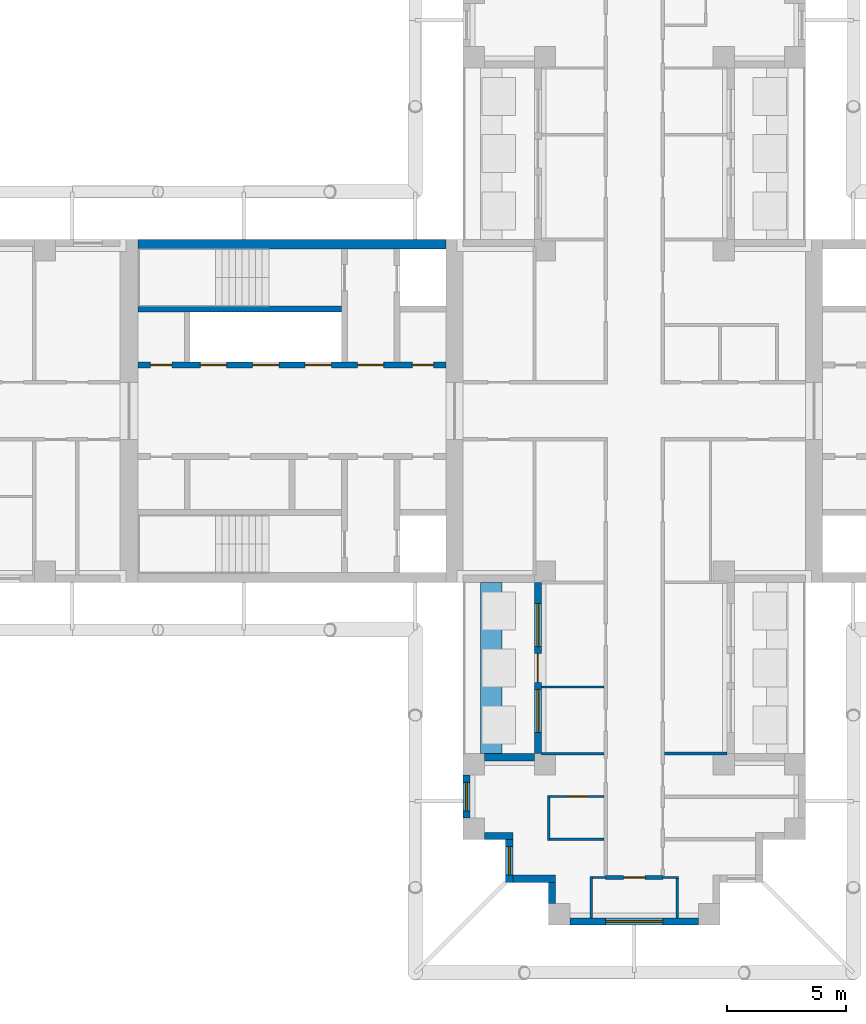
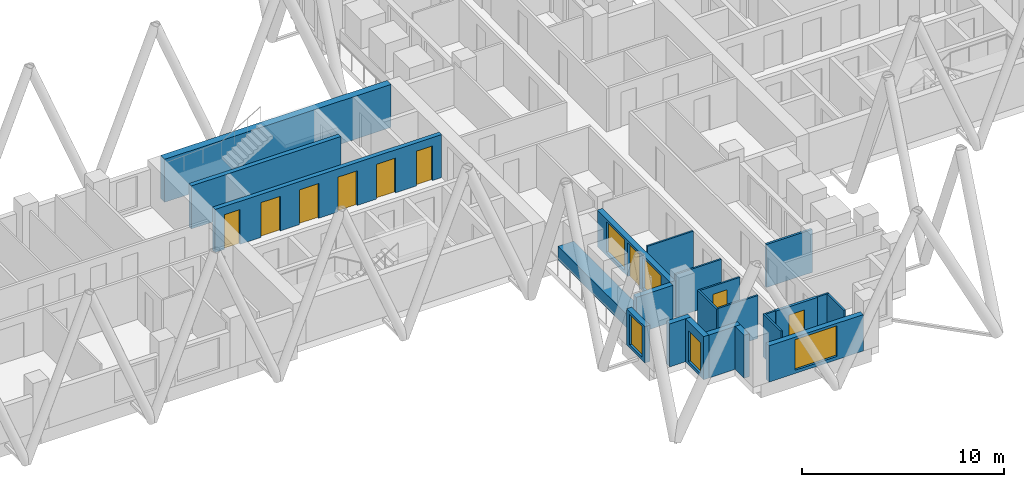
# One storey, part 4 of 12: 23 walls, 9 doors, 5 windows, 14 openings.
"""IFC4 building model written with IfcOpenShell, lengths in metres."""

import ifcopenshell
import ifcopenshell.guid

model = None  # the IFC model being written
_history = None  # IfcOwnerHistory: only IFC2X3 demands one
_inside = {}  # id of a spatial element -> (the spatial element, [elements in it])
_under = {}  # id of a project, library or spatial element -> (it, [spatial elements below it])
_declared = {}  # id of a project -> (the project, [libraries it declares])
_typed = {}  # id of a type object -> (the type object, [elements of that type])
_made_of = {}  # id of a material, layer set ... -> (it, [elements and type objects made of it])


def new_model(schema):
    """Start an empty IFC model of exactly this schema.

    Asked for "IFC4X3", IfcOpenShell would pick the latest addendum, in which some entities
    have other attributes; the version numbers below select the first issue.
    IFC2X3 requires an IfcOwnerHistory on every rooted entity: one is made here for all.
    """
    global model, _history
    if schema == "IFC4X3":
        model = ifcopenshell.file(schema_version=(4, 3, 0, 0))
    else:
        model = ifcopenshell.file(schema=schema)
    _inside.clear()
    _under.clear()
    _declared.clear()
    _typed.clear()
    _made_of.clear()
    _history = None
    if model.schema == "IFC2X3":
        org = make("IfcOrganization", Name="unknown")
        user = make(
            "IfcPersonAndOrganization",
            ThePerson=make("IfcPerson", FamilyName="unknown"),
            TheOrganization=org,
        )
        app = make(
            "IfcApplication",
            ApplicationDeveloper=org,
            Version="unknown",
            ApplicationFullName="unknown",
            ApplicationIdentifier="unknown",
        )
        _history = make(
            "IfcOwnerHistory",
            OwningUser=user,
            OwningApplication=app,
            ChangeAction="ADDED",
            CreationDate=0,
        )
    return model


def make(cls, **values):
    """One entity of the class cls with the attributes given. An attribute that is None is left unset."""
    return model.create_entity(
        cls, **{name: value for name, value in values.items() if value is not None}
    )


def rooted(cls, **values):
    """An entity with a GlobalId (a new one), such as an element, a storey or a relation."""
    return make(cls, GlobalId=ifcopenshell.guid.new(), OwnerHistory=_history, **values)


def si_unit(unit_type, name, prefix=None):
    """IfcSIUnit, for example si_unit("LENGTHUNIT", "METRE", prefix="MILLI")."""
    return make("IfcSIUnit", UnitType=unit_type, Prefix=prefix, Name=name)


def assignment(units):
    """IfcUnitAssignment: the units of a project."""
    return None if units is None else make("IfcUnitAssignment", Units=units)


def point(xyz):
    """IfcCartesianPoint."""
    return None if xyz is None else make("IfcCartesianPoint", Coordinates=xyz)


def direction(xyz):
    """IfcDirection."""
    return None if xyz is None else make("IfcDirection", DirectionRatios=xyz)


def frame(location, z_axis=None, x_axis=None):
    """IfcAxis2Placement3D, a coordinate frame: its origin and axes. An axis left out is left unset."""
    return make(
        "IfcAxis2Placement3D",
        Location=point(location),
        Axis=direction(z_axis),
        RefDirection=direction(x_axis),
    )


def frame_2d(location, x_axis=None):
    """IfcAxis2Placement2D, a coordinate frame in the plane: its origin and x axis."""
    return make(
        "IfcAxis2Placement2D", Location=point(location), RefDirection=direction(x_axis)
    )


def origin():
    """The frame at (0, 0, 0) with its axes left unset."""
    return frame((0.0, 0.0, 0.0))


def place(relative_to, where):
    """IfcLocalPlacement: puts the frame where relative to a parent placement (None: the world)."""
    return make(
        "IfcLocalPlacement", PlacementRelTo=relative_to, RelativePlacement=where
    )


def context(
    kind, dimensions, precision=None, world=None, true_north=None, identifier=None
):
    """IfcGeometricRepresentationContext, for example the 3D "Model" context."""
    return make(
        "IfcGeometricRepresentationContext",
        ContextIdentifier=identifier,
        ContextType=kind,
        CoordinateSpaceDimension=dimensions,
        Precision=precision,
        WorldCoordinateSystem=world,
        TrueNorth=true_north,
    )


def subcontext(parent, identifier, kind, view, scale=None):
    """IfcGeometricRepresentationSubContext, for example "Body" below "Model"."""
    return make(
        "IfcGeometricRepresentationSubContext",
        ContextIdentifier=identifier,
        ContextType=kind,
        ParentContext=parent,
        TargetScale=scale,
        TargetView=view,
    )


def project(units=None, contexts=None):
    """IfcProject with its units and contexts."""
    return rooted(
        "IfcProject",
        Name="project",
        RepresentationContexts=contexts,
        UnitsInContext=assignment(units),
    )


def spatial(cls, under=None, at=None, **own):
    """A site, building, storey or space (cls), placed at a placement, below another one or the project."""
    s = rooted(cls, ObjectPlacement=at, **own)
    if under is not None:
        _under.setdefault(under.id(), (under, []))[1].append(s)
    return s


def profile(cls, at=None, kind="AREA", **sizes):
    """A parametric profile (cls). Its sizes go by their IFC names, for example OverallWidth=200.0."""
    return make(cls, ProfileType=kind, Position=at, **sizes)


def rectangle(**sizes):
    """IfcRectangleProfileDef."""
    return profile("IfcRectangleProfileDef", **sizes)


def extrude(swept, where, along, depth):
    """IfcExtrudedAreaSolid: the profile swept, set in the frame where, extruded along a direction by depth."""
    return make(
        "IfcExtrudedAreaSolid",
        SweptArea=swept,
        Position=where,
        ExtrudedDirection=direction(along),
        Depth=depth,
    )


def shape(context_of_items, identifier, shape_type, items):
    """IfcShapeRepresentation: the items that make up one representation, for example the "Body"."""
    return make(
        "IfcShapeRepresentation",
        ContextOfItems=context_of_items,
        RepresentationIdentifier=identifier,
        RepresentationType=shape_type,
        Items=items,
    )


def material(Name=None, Category=None):
    """IfcMaterial."""
    return make("IfcMaterial", Name=Name, Category=Category)


def layer(
    of_material, thickness, ventilated=None, Name=None, Category=None, Priority=None
):
    """IfcMaterialLayer: one layer of a wall or slab, of a material (None: an air gap)."""
    return make(
        "IfcMaterialLayer",
        Material=of_material,
        LayerThickness=thickness,
        IsVentilated=ventilated,
        Name=Name,
        Category=Category,
        Priority=Priority,
    )


def layer_set(layers, Name=None):
    """IfcMaterialLayerSet."""
    return make("IfcMaterialLayerSet", MaterialLayers=layers, LayerSetName=Name)


def made_of(thing, what):
    """Note that an element or type object is made of a material, layer set ...; save() writes the relation."""
    if what is not None:
        _made_of.setdefault(what.id(), (what, []))[1].append(thing)
    return thing


def type_object(cls, material=None, **own):
    """A type object (cls), such as IfcWallType, which elements share."""
    return made_of(rooted(cls, **own), material)


def element(
    cls,
    number,
    at=None,
    inside=None,
    cuts=None,
    type_object=None,
    material=None,
    context=None,
    identifier="Body",
    shape_type=None,
    held_by="IfcProductDefinitionShape",
    body=None,
    shapes=None,
    **own,
):
    """One element of the class cls, such as IfcWall. Its Tag is "e" and its number.

    at: its placement. inside: the storey or other place that contains it. cuts: it is an
    opening in that element (IfcRelVoidsElement). A single representation is given by context,
    identifier, shape_type and body (its items); several are given by shapes. held_by: the class
    of the entity that holds the representations. save() writes the other relations.
    """
    e = rooted(cls, Tag="e%d" % number, ObjectPlacement=at, **own)
    if body is not None:
        shapes = [shape(context, identifier, shape_type, body)]
    if shapes is not None:
        e.Representation = make(held_by, Representations=shapes)
    if inside is not None:
        _inside.setdefault(inside.id(), (inside, []))[1].append(e)
    if cuts is not None:
        rooted(
            "IfcRelVoidsElement", RelatingBuildingElement=cuts, RelatedOpeningElement=e
        )
    if type_object is not None:
        _typed.setdefault(type_object.id(), (type_object, []))[1].append(e)
    return made_of(e, material)


def fill(opening, filler):
    """IfcRelFillsElement: the door or window that sits in an opening."""
    return rooted(
        "IfcRelFillsElement",
        RelatingOpeningElement=opening,
        RelatedBuildingElement=filler,
    )


def aggregate(whole, parts):
    """IfcRelAggregates: a whole, such as a stair, and the parts it consists of."""
    return rooted("IfcRelAggregates", RelatingObject=whole, RelatedObjects=parts)


def save(model, path):
    """Write the relations noted so far, then the file.

    IfcRelAggregates (storeys below a building ...), IfcRelContainedInSpatialStructure (elements
    in a storey), IfcRelDefinesByType, IfcRelAssociatesMaterial and IfcRelDeclares: one each for
    every whole, place, type object, material and project.
    """
    for whole, parts in _under.values():
        aggregate(whole, parts)
    for where, things in _inside.values():
        rooted(
            "IfcRelContainedInSpatialStructure",
            RelatedElements=things,
            RelatingStructure=where,
        )
    for kind, things in _typed.values():
        rooted("IfcRelDefinesByType", RelatedObjects=things, RelatingType=kind)
    for what, things in _made_of.values():
        rooted("IfcRelAssociatesMaterial", RelatedObjects=things, RelatingMaterial=what)
    for by, libraries in _declared.values():
        rooted("IfcRelDeclares", RelatingContext=by, RelatedDefinitions=libraries)
    model.write(path)


model = new_model("IFC4")

# Units and contexts
model_context = context("Model", 3, precision=1e-05, world=origin(), true_north=direction((0.0, 1.0)))
body_context = subcontext(model_context, "Body", "Model", "MODEL_VIEW")
ifc_project = project(units=[si_unit("LENGTHUNIT", "METRE"), si_unit("AREAUNIT", "SQUARE_METRE"), si_unit("VOLUMEUNIT", "CUBIC_METRE"), si_unit("PLANEANGLEUNIT", "RADIAN"), si_unit("MASSUNIT", "GRAM", prefix="KILO")], contexts=[model_context])

# Site, building, storey
site_placement = place(None, origin())
site = spatial("IfcSite", under=ifc_project, at=site_placement, CompositionType="ELEMENT")
building_placement = place(site_placement, origin())
building = spatial("IfcBuilding", under=site, at=building_placement, Name="Fustian Cross Tower", CompositionType="ELEMENT")
storey_placement = place(building_placement, frame((0.0, 0.0, 179.699951171875)))
storey = spatial("IfcBuildingStorey", under=building, at=storey_placement, Name="L56", CompositionType="ELEMENT", Elevation=179.699951171875)

# Wall, opening, door
ifc_material_1 = material(Name="Plasterboard on steel stud", Category="steel")
ifc_layer_1 = layer(ifc_material_1, 0.14990234375)
ifc_layer_set_1 = layer_set([ifc_layer_1], Name="Plasterboard on steel stud")
wall_type_1 = type_object("IfcWallType", Name="COMPARTMENT WALL 150 EI 60", PredefinedType="PARTITIONING", material=ifc_layer_set_1)
wall_1_placement = place(storey_placement, frame((-1.199951171875, -19.60009765625, 0.0), z_axis=(0.0, 0.0, 1.0), x_axis=(1.0, 0.0, 0.0)))
wall_1 = element("IfcWall", 1, at=wall_1_placement, inside=storey, type_object=wall_type_1, Name="Partition 32", PredefinedType="PARTITIONING", context=body_context, shape_type="SweptSolid", body=[
    extrude(rectangle(XDim=2.39990234375, YDim=0.14990234375, at=frame_2d((1.199951171875, 0.0))), origin(), (0.0, 0.0, 1.0), 2.60009765625),
])
opening_1_placement = place(wall_1_placement, frame((0.75, 0.0, 0.0)))
opening_1 = element("IfcOpeningElement", 2, at=opening_1_placement, cuts=wall_1, Name="Opening D26038", PredefinedType="OPENING", context=body_context, shape_type="SweptSolid", body=[
    extrude(rectangle(XDim=0.89990234375, YDim=2.10009765625, at=frame_2d((0.449951171875, 1.050048828125))), frame((0.0, 0.0849609375, 0.0), z_axis=(0.0, -1.0, 0.0), x_axis=(1.0, 0.0, 0.0)), (0.0, 0.0, 1.0), 0.169921875),
])
ifc_material_2 = material(Name="Timber fire door set", Category="wood")
door_type_1 = type_object("IfcDoorType", Name="FIRE SWING DOOR 900 FD30S", OperationType="SINGLE_SWING_LEFT", PredefinedType="DOOR", material=ifc_material_2)
door_1_placement = place(opening_1_placement, frame((0.89990234375, 0.0, 0.0), z_axis=(0.0, 0.0, 1.0), x_axis=(-1.0, 0.0, 0.0)))
door_1 = element("IfcDoor", 3, at=door_1_placement, inside=storey, type_object=door_type_1, Name="Door D26038", OperationType="SINGLE_SWING_RIGHT", OverallHeight=2.10009765625, OverallWidth=0.89990234375, PredefinedType="DOOR", context=body_context, shape_type="SweptSolid", body=[
    extrude(rectangle(XDim=0.89990234375, YDim=2.10009765625, at=frame_2d((0.449951171875, 1.050048828125))), frame((0.0, 0.02490234375, 0.0), z_axis=(0.0, -1.0, 0.0), x_axis=(1.0, 0.0, 0.0)), (0.0, 0.0, 1.0), 0.050048828125),
])
fill(opening_1, door_1)

# Wall
ifc_material_3 = material(Name="Concrete C50/60", Category="concrete")
ifc_layer_2 = layer(ifc_material_3, 0.39990234375)
ifc_layer_set_2 = layer_set([ifc_layer_2], Name="Concrete C50/60")
wall_type_2 = type_object("IfcWallType", Name="CORE FACADE WALL 400 C50/60", PredefinedType="SHEAR", material=ifc_layer_set_2)
wall_2_placement = place(storey_placement, frame((-7.89990234375, 7.0, 0.0), z_axis=(0.0, 0.0, 1.0), x_axis=(-1.0, 0.0, 0.0)))
element("IfcWall", 4, at=wall_2_placement, inside=storey, type_object=wall_type_2, Name="Core facade wall", PredefinedType="SHEAR", context=body_context, shape_type="SweptSolid", body=[
    extrude(rectangle(XDim=12.9501953125, YDim=0.39990234375, at=frame_2d((6.47509765625, 0.0))), origin(), (0.0, 0.0, 1.0), 2.60009765625),
])

# Wall, openings, doors
ifc_material_4 = material(Name="Concrete C50/60", Category="concrete")
ifc_layer_3 = layer(ifc_material_4, 0.25)
ifc_layer_set_3 = layer_set([ifc_layer_3], Name="Concrete C50/60")
wall_type_3 = type_object("IfcWallType", Name="CORE LOBBY WALL 250 C50/60", PredefinedType="SHEAR", material=ifc_layer_set_3)
wall_3_placement = place(storey_placement, frame((-7.89990234375, 1.925048828125, 0.0), z_axis=(0.0, 0.0, 1.0), x_axis=(-1.0, 0.0, 0.0)))
wall_3 = element("IfcWall", 5, at=wall_3_placement, inside=storey, type_object=wall_type_3, Name="Core lobby wall", PredefinedType="SHEAR", context=body_context, shape_type="SweptSolid", body=[
    extrude(rectangle(XDim=12.9501953125, YDim=0.25, at=frame_2d((6.47509765625, 0.0))), origin(), (0.0, 0.0, 1.0), 2.60009765625),
])
opening_2_placement = place(wall_3_placement, frame((4.824951171875, 0.0, 0.0)))
opening_2 = element("IfcOpeningElement", 6, at=opening_2_placement, cuts=wall_3, Name="Opening LD", PredefinedType="OPENING", context=body_context, shape_type="SweptSolid", body=[
    extrude(rectangle(XDim=1.10009765625, YDim=2.10009765625, at=frame_2d((0.550048828125, 1.050048828125))), frame((0.0, 0.135009765625, 0.0), z_axis=(0.0, -1.0, 0.0), x_axis=(1.0, 0.0, 0.0)), (0.0, 0.0, 1.0), 0.27001953125),
])
opening_3_placement = place(wall_3_placement, frame((7.02490234375, 0.0, 0.0)))
opening_3 = element("IfcOpeningElement", 7, at=opening_3_placement, cuts=wall_3, Name="Opening LD", PredefinedType="OPENING", context=body_context, shape_type="SweptSolid", body=[
    extrude(rectangle(XDim=1.10009765625, YDim=2.10009765625, at=frame_2d((0.550048828125, 1.050048828125))), frame((0.0, 0.135009765625, 0.0), z_axis=(0.0, -1.0, 0.0), x_axis=(1.0, 0.0, 0.0)), (0.0, 0.0, 1.0), 0.27001953125),
])
opening_4_placement = place(wall_3_placement, frame((9.22509765625, 0.0, 0.0)))
opening_4 = element("IfcOpeningElement", 8, at=opening_4_placement, cuts=wall_3, Name="Opening LD", PredefinedType="OPENING", context=body_context, shape_type="SweptSolid", body=[
    extrude(rectangle(XDim=1.10009765625, YDim=2.10009765625, at=frame_2d((0.550048828125, 1.050048828125))), frame((0.0, 0.135009765625, 0.0), z_axis=(0.0, -1.0, 0.0), x_axis=(1.0, 0.0, 0.0)), (0.0, 0.0, 1.0), 0.27001953125),
])
opening_5_placement = place(wall_3_placement, frame((0.52490234375, 0.0, 0.0)))
opening_5 = element("IfcOpeningElement", 9, at=opening_5_placement, cuts=wall_3, Name="Opening CD-23-25", PredefinedType="OPENING", context=body_context, shape_type="SweptSolid", body=[
    extrude(rectangle(XDim=0.89990234375, YDim=2.10009765625, at=frame_2d((0.449951171875, 1.050048828125))), frame((0.0, 0.135009765625, 0.0), z_axis=(0.0, -1.0, 0.0), x_axis=(1.0, 0.0, 0.0)), (0.0, 0.0, 1.0), 0.27001953125),
])
opening_6_placement = place(wall_3_placement, frame((2.625, 0.0, 0.0)))
opening_6 = element("IfcOpeningElement", 10, at=opening_6_placement, cuts=wall_3, Name="Opening CD-23-27", PredefinedType="OPENING", context=body_context, shape_type="SweptSolid", body=[
    extrude(rectangle(XDim=1.10009765625, YDim=2.10009765625, at=frame_2d((0.550048828125, 1.050048828125))), frame((0.0, 0.135009765625, 0.0), z_axis=(0.0, -1.0, 0.0), x_axis=(1.0, 0.0, 0.0)), (0.0, 0.0, 1.0), 0.27001953125),
])
opening_7_placement = place(wall_3_placement, frame((11.52490234375, 0.0, 0.0)))
opening_7 = element("IfcOpeningElement", 11, at=opening_7_placement, cuts=wall_3, Name="Opening CD-23-31", PredefinedType="OPENING", context=body_context, shape_type="SweptSolid", body=[
    extrude(rectangle(XDim=0.89990234375, YDim=2.10009765625, at=frame_2d((0.449951171875, 1.050048828125))), frame((0.0, 0.135009765625, 0.0), z_axis=(0.0, -1.0, 0.0), x_axis=(1.0, 0.0, 0.0)), (0.0, 0.0, 1.0), 0.27001953125),
])
ifc_material_5 = material(Name="Steel", Category="steel")
door_type_2 = type_object("IfcDoorType", Name="FIRE DOOR FD30S 900X2100", OperationType="SINGLE_SWING_LEFT", PredefinedType="DOOR", material=ifc_material_5)
door_2_placement = place(opening_7_placement, frame((0.89990234375, 0.0, 0.0), z_axis=(0.0, 0.0, 1.0), x_axis=(-1.0, 0.0, 0.0)))
door_2 = element("IfcDoor", 12, at=door_2_placement, inside=storey, type_object=door_type_2, Name="Core door CD-23-31", OperationType="SINGLE_SWING_RIGHT", OverallHeight=2.10009765625, OverallWidth=0.89990234375, PredefinedType="DOOR", context=body_context, shape_type="SweptSolid", body=[
    extrude(rectangle(XDim=0.89990234375, YDim=2.10009765625, at=frame_2d((0.449951171875, 1.050048828125))), frame((0.0, 0.02490234375, 0.0), z_axis=(0.0, -1.0, 0.0), x_axis=(1.0, 0.0, 0.0)), (0.0, 0.0, 1.0), 0.050048828125),
])
fill(opening_7, door_2)
ifc_material_6 = material(Name="Steel", Category="steel")
door_type_3 = type_object("IfcDoorType", Name="FIRE DOOR FD60S 1100X2100", OperationType="SINGLE_SWING_LEFT", PredefinedType="DOOR", material=ifc_material_6)
door_3_placement = place(opening_6_placement, frame((1.10009765625, 0.0, 0.0), z_axis=(0.0, 0.0, 1.0), x_axis=(-1.0, 0.0, 0.0)))
door_3 = element("IfcDoor", 13, at=door_3_placement, inside=storey, type_object=door_type_3, Name="Core door CD-23-27", OperationType="SINGLE_SWING_RIGHT", OverallHeight=2.10009765625, OverallWidth=1.10009765625, PredefinedType="DOOR", context=body_context, shape_type="SweptSolid", body=[
    extrude(rectangle(XDim=1.10009765625, YDim=2.10009765625, at=frame_2d((0.550048828125, 1.050048828125))), frame((0.0, 0.02490234375, 0.0), z_axis=(0.0, -1.0, 0.0), x_axis=(1.0, 0.0, 0.0)), (0.0, 0.0, 1.0), 0.050048828125),
])
fill(opening_6, door_3)
ifc_material_7 = material(Name="Steel", Category="steel")
door_type_4 = type_object("IfcDoorType", Name="FIRE DOOR FD60S 900X2100", OperationType="SINGLE_SWING_LEFT", PredefinedType="DOOR", material=ifc_material_7)
door_4_placement = place(opening_5_placement, frame((0.89990234375, 0.0, 0.0), z_axis=(0.0, 0.0, 1.0), x_axis=(-1.0, 0.0, 0.0)))
door_4 = element("IfcDoor", 14, at=door_4_placement, inside=storey, type_object=door_type_4, Name="Core door CD-23-25", OperationType="SINGLE_SWING_RIGHT", OverallHeight=2.10009765625, OverallWidth=0.89990234375, PredefinedType="DOOR", context=body_context, shape_type="SweptSolid", body=[
    extrude(rectangle(XDim=0.89990234375, YDim=2.10009765625, at=frame_2d((0.449951171875, 1.050048828125))), frame((0.0, 0.02490234375, 0.0), z_axis=(0.0, -1.0, 0.0), x_axis=(1.0, 0.0, 0.0)), (0.0, 0.0, 1.0), 0.050048828125),
])
fill(opening_5, door_4)
ifc_material_8 = material(Name="Stainless steel", Category="steel")
door_type_5 = type_object("IfcDoorType", Name="LIFT LANDING DOOR 1100X2100", OperationType="SLIDING_TO_LEFT", PredefinedType="DOOR", material=ifc_material_8)
door_5_placement = place(opening_2_placement, origin())
door_5 = element("IfcDoor", 15, at=door_5_placement, inside=storey, type_object=door_type_5, Name="Landing door HR1W", OperationType="SLIDING_TO_LEFT", OverallHeight=2.10009765625, OverallWidth=1.10009765625, PredefinedType="DOOR", context=body_context, shape_type="SweptSolid", body=[
    extrude(rectangle(XDim=1.10009765625, YDim=2.10009765625, at=frame_2d((0.550048828125, 1.050048828125))), frame((0.0, 0.02490234375, 0.0), z_axis=(0.0, -1.0, 0.0), x_axis=(1.0, 0.0, 0.0)), (0.0, 0.0, 1.0), 0.050048828125),
])
fill(opening_2, door_5)
door_6_placement = place(opening_3_placement, origin())
door_6 = element("IfcDoor", 16, at=door_6_placement, inside=storey, type_object=door_type_5, Name="Landing door HR2W", OperationType="SLIDING_TO_LEFT", OverallHeight=2.10009765625, OverallWidth=1.10009765625, PredefinedType="DOOR", context=body_context, shape_type="SweptSolid", body=[
    extrude(rectangle(XDim=1.10009765625, YDim=2.10009765625, at=frame_2d((0.550048828125, 1.050048828125))), frame((0.0, 0.02490234375, 0.0), z_axis=(0.0, -1.0, 0.0), x_axis=(1.0, 0.0, 0.0)), (0.0, 0.0, 1.0), 0.050048828125),
])
fill(opening_3, door_6)
door_7_placement = place(opening_4_placement, origin())
door_7 = element("IfcDoor", 17, at=door_7_placement, inside=storey, type_object=door_type_5, Name="Landing door HR3W", OperationType="SLIDING_TO_LEFT", OverallHeight=2.10009765625, OverallWidth=1.10009765625, PredefinedType="DOOR", context=body_context, shape_type="SweptSolid", body=[
    extrude(rectangle(XDim=1.10009765625, YDim=2.10009765625, at=frame_2d((0.550048828125, 1.050048828125))), frame((0.0, 0.02490234375, 0.0), z_axis=(0.0, -1.0, 0.0), x_axis=(1.0, 0.0, 0.0)), (0.0, 0.0, 1.0), 0.050048828125),
])
fill(opening_4, door_7)

# Walls
ifc_material_9 = material(Name="Concrete C50/60", Category="concrete")
ifc_layer_4 = layer(ifc_material_9, 0.25)
ifc_layer_set_4 = layer_set([ifc_layer_4], Name="Concrete C50/60")
wall_type_4 = type_object("IfcWallType", Name="CORE SHAFT WALL 250 C50/60", PredefinedType="SHEAR", material=ifc_layer_set_4)
wall_4_placement = place(storey_placement, frame((-12.300048828125, 4.27490234375, 0.0), z_axis=(0.0, 0.0, 1.0), x_axis=(-1.0, 0.0, 0.0)))
element("IfcWall", 18, at=wall_4_placement, inside=storey, type_object=wall_type_4, Name="Core shaft wall", PredefinedType="SHEAR", context=body_context, shape_type="SweptSolid", body=[
    extrude(rectangle(XDim=8.550048828125, YDim=0.25, at=frame_2d((4.27490234375, 0.0))), origin(), (0.0, 0.0, 1.0), 2.60009765625),
])
ifc_material_10 = material(Name="Plasterboard on steel stud", Category="steel")
ifc_layer_5 = layer(ifc_material_10, 0.10009765625)
ifc_layer_set_5 = layer_set([ifc_layer_5], Name="Plasterboard on steel stud")
wall_type_5 = type_object("IfcWallType", Name="PARTITION 100 STUD", PredefinedType="PARTITIONING", material=ifc_layer_set_5)
for number, where, z_axis, x_axis, name in (
    (19, (-3.89990234375, -14.39990234375, 0.0), (0.0, 0.0, 1.0), (1.0, 0.0, 0.0), "Partition 18"),
    (20, (-3.89990234375, -11.60009765625, 0.0), (0.0, 0.0, 1.0), (1.0, 0.0, 0.0), "Partition 19"),
):
    element("IfcWall", number, at=place(storey_placement, frame(where, z_axis=z_axis, x_axis=x_axis)), inside=storey, type_object=wall_type_5, Name=name, PredefinedType="PARTITIONING", context=body_context, shape_type="SweptSolid", body=[
        extrude(rectangle(XDim=2.625, YDim=0.10009765625, at=frame_2d((1.3125, 0.0))), origin(), (0.0, 0.0, 1.0), 2.60009765625),
    ])
wall_5_placement = place(storey_placement, frame((-3.60009765625, -18.050048828125, 0.0), z_axis=(0.0, 0.0, 1.0), x_axis=(0.0, 1.0, 0.0)))
element("IfcWall", 21, at=wall_5_placement, inside=storey, type_object=wall_type_5, Name="Partition 24", PredefinedType="PARTITIONING", context=body_context, shape_type="SweptSolid", body=[
    extrude(rectangle(XDim=1.900146484375, YDim=0.10009765625, at=frame_2d((0.9501953125, 0.0))), origin(), (0.0, 0.0, 1.0), 2.60009765625),
])
wall_6_placement = place(storey_placement, frame((-3.550048828125, -18.0, 0.0), z_axis=(0.0, 0.0, 1.0), x_axis=(1.0, 0.0, 0.0)))
element("IfcWall", 22, at=wall_6_placement, inside=storey, type_object=wall_type_5, Name="Partition 25", PredefinedType="PARTITIONING", context=body_context, shape_type="SweptSolid", body=[
    extrude(rectangle(XDim=2.275146484375, YDim=0.10009765625, at=frame_2d((1.1376953125, 0.0))), origin(), (0.0, 0.0, 1.0), 2.60009765625),
])

# Wall, opening, door
wall_7_placement = place(storey_placement, frame((-3.550048828125, -16.199951171875, 0.0), z_axis=(0.0, 0.0, 1.0), x_axis=(1.0, 0.0, 0.0)))
wall_7 = element("IfcWall", 23, at=wall_7_placement, inside=storey, type_object=wall_type_5, Name="Partition 26", PredefinedType="PARTITIONING", context=body_context, shape_type="SweptSolid", body=[
    extrude(rectangle(XDim=2.275146484375, YDim=0.10009765625, at=frame_2d((1.1376953125, 0.0))), origin(), (0.0, 0.0, 1.0), 2.60009765625),
])
opening_8_placement = place(wall_7_placement, frame((0.75, 0.0, 0.0)))
opening_8 = element("IfcOpeningElement", 24, at=opening_8_placement, cuts=wall_7, Name="Opening D26045", PredefinedType="OPENING", context=body_context, shape_type="SweptSolid", body=[
    extrude(rectangle(XDim=0.800048828125, YDim=2.10009765625, at=frame_2d((0.39990234375, 1.050048828125))), frame((0.0, 0.06005859375, 0.0), z_axis=(0.0, -1.0, 0.0), x_axis=(1.0, 0.0, 0.0)), (0.0, 0.0, 1.0), 0.1201171875),
])
ifc_material_11 = material(Name="Painted timber", Category="wood")
door_type_6 = type_object("IfcDoorType", Name="SWING DOOR 800", OperationType="SINGLE_SWING_LEFT", PredefinedType="DOOR", material=ifc_material_11)
door_8_placement = place(opening_8_placement, frame((0.800048828125, 0.0, 0.0), z_axis=(0.0, 0.0, 1.0), x_axis=(-1.0, 0.0, 0.0)))
door_8 = element("IfcDoor", 25, at=door_8_placement, inside=storey, type_object=door_type_6, Name="Door D26045", OperationType="SINGLE_SWING_RIGHT", OverallHeight=2.10009765625, OverallWidth=0.800048828125, PredefinedType="DOOR", context=body_context, shape_type="SweptSolid", body=[
    extrude(rectangle(XDim=0.800048828125, YDim=2.10009765625, at=frame_2d((0.39990234375, 1.050048828125))), frame((0.0, 0.02490234375, 0.0), z_axis=(0.0, -1.0, 0.0), x_axis=(1.0, 0.0, 0.0)), (0.0, 0.0, 1.0), 0.050048828125),
])
fill(opening_8, door_8)

# Walls
wall_8_placement = place(storey_placement, frame((-1.800048828125, -21.300048828125, 0.0), z_axis=(0.0, 0.0, 1.0), x_axis=(0.0, 1.0, 0.0)))
element("IfcWall", 26, at=wall_8_placement, inside=storey, type_object=wall_type_5, Name="Partition 27", PredefinedType="PARTITIONING", context=body_context, shape_type="SweptSolid", body=[
    extrude(rectangle(XDim=1.75, YDim=0.10009765625, at=frame_2d((0.875, 0.0))), origin(), (0.0, 0.0, 1.0), 2.60009765625),
])
wall_9_placement = place(storey_placement, frame((-1.75, -19.60009765625, 0.0), z_axis=(0.0, 0.0, 1.0), x_axis=(1.0, 0.0, 0.0)))
element("IfcWall", 27, at=wall_9_placement, inside=storey, type_object=wall_type_5, Name="Partition 28", PredefinedType="PARTITIONING", context=body_context, shape_type="SweptSolid", body=[
    extrude(rectangle(XDim=0.550048828125, YDim=0.10009765625, at=frame_2d((0.27490234375, 0.0))), origin(), (0.0, 0.0, 1.0), 2.60009765625),
])
wall_10_placement = place(storey_placement, frame((1.199951171875, -19.60009765625, 0.0), z_axis=(0.0, 0.0, 1.0), x_axis=(1.0, 0.0, 0.0)))
element("IfcWall", 28, at=wall_10_placement, inside=storey, type_object=wall_type_5, Name="Partition 36", PredefinedType="PARTITIONING", context=body_context, shape_type="SweptSolid", body=[
    extrude(rectangle(XDim=0.650146484375, YDim=0.10009765625, at=frame_2d((0.3251953125, 0.0))), origin(), (0.0, 0.0, 1.0), 2.60009765625),
])
wall_11_placement = place(storey_placement, frame((1.800048828125, -21.300048828125, 0.0), z_axis=(0.0, 0.0, 1.0), x_axis=(0.0, 1.0, 0.0)))
element("IfcWall", 29, at=wall_11_placement, inside=storey, type_object=wall_type_5, Name="Partition 51", PredefinedType="PARTITIONING", context=body_context, shape_type="SweptSolid", body=[
    extrude(rectangle(XDim=1.650146484375, YDim=0.10009765625, at=frame_2d((0.8251953125, 0.0))), origin(), (0.0, 0.0, 1.0), 2.60009765625),
])
ifc_material_12 = material(Name="Concrete C40/50", Category="concrete")
ifc_layer_6 = layer(ifc_material_12, 0.89990234375)
ifc_layer_set_6 = layer_set([ifc_layer_6], Name="Concrete C40/50")
wall_type_6 = type_object("IfcWallType", Name="PK1 PLANTER 900", PredefinedType="PARAPET", material=ifc_layer_set_6)
wall_12_placement = place(storey_placement, frame((-6.0, -14.39990234375, 0.0), z_axis=(0.0, 0.0, 1.0), x_axis=(0.0, 1.0, 0.0)))
element("IfcWall", 30, at=wall_12_placement, inside=storey, type_object=wall_type_6, Name="PLANTER", PredefinedType="PARAPET", context=body_context, shape_type="SweptSolid", body=[
    extrude(rectangle(XDim=7.199951171875, YDim=0.89990234375, at=frame_2d((3.60009765625, 0.0))), origin(), (0.0, 0.0, 1.0), 0.800048828125),
])
ifc_material_13 = material(Name="Plasterboard on steel stud", Category="steel")
ifc_layer_7 = layer(ifc_material_13, 0.125)
ifc_layer_set_7 = layer_set([ifc_layer_7], Name="Plasterboard on steel stud")
wall_type_7 = type_object("IfcWallType", Name="WET WALL 125 STUD", PredefinedType="PARTITIONING", material=ifc_layer_set_7)
wall_13_placement = place(storey_placement, frame((1.27490234375, -14.39990234375, 0.0), z_axis=(0.0, 0.0, 1.0), x_axis=(1.0, 0.0, 0.0)))
element("IfcWall", 31, at=wall_13_placement, inside=storey, type_object=wall_type_7, Name="Partition 39", PredefinedType="PARTITIONING", context=body_context, shape_type="SweptSolid", body=[
    extrude(rectangle(XDim=2.625, YDim=0.125, at=frame_2d((1.3125, 0.0))), origin(), (0.0, 0.0, 1.0), 2.60009765625),
])

# Wall, openings, door, windows
ifc_material_14 = material(Name="Dark aluminium cladding on insulated backing wall", Category="aluminium")
ifc_layer_8 = layer(ifc_material_14, 0.300048828125)
ifc_layer_set_8 = layer_set([ifc_layer_8], Name="Dark aluminium cladding on insulated backing wall")
wall_type_8 = type_object("IfcWallType", Name="XW1 EXTERNAL WALL 300", PredefinedType="SOLIDWALL", material=ifc_layer_set_8)
wall_14_placement = place(storey_placement, frame((-4.050048828125, -7.199951171875, 0.0), z_axis=(0.0, 0.0, 1.0), x_axis=(0.0, -1.0, 0.0)))
wall_14 = element("IfcWall", 32, at=wall_14_placement, inside=storey, type_object=wall_type_8, Name="External wall", PredefinedType="SOLIDWALL", context=body_context, shape_type="SweptSolid", body=[
    extrude(rectangle(XDim=7.199951171875, YDim=0.300048828125, at=frame_2d((3.60009765625, 0.0))), origin(), (0.0, 0.0, 1.0), 2.199951171875),
])
opening_9_placement = place(wall_14_placement, frame((3.0, 0.0, 0.0)))
opening_9 = element("IfcOpeningElement", 33, at=opening_9_placement, cuts=wall_14, Name="Opening XD4", PredefinedType="OPENING", context=body_context, shape_type="SweptSolid", body=[
    extrude(rectangle(XDim=1.199951171875, YDim=2.050048828125, at=frame_2d((0.60009765625, 1.02490234375))), frame((0.0, 0.159912109375, 0.0), z_axis=(0.0, -1.0, 0.0), x_axis=(1.0, 0.0, 0.0)), (0.0, 0.0, 1.0), 0.320068359375),
])
opening_10_placement = place(wall_14_placement, frame((0.89990234375, 0.0, 0.199951171875)))
opening_10 = element("IfcOpeningElement", 34, at=opening_10_placement, cuts=wall_14, Name="Opening WN2", PredefinedType="OPENING", context=body_context, shape_type="SweptSolid", body=[
    extrude(rectangle(XDim=1.800048828125, YDim=1.85009765625, at=frame_2d((0.89990234375, 0.925048828125))), frame((0.0, 0.159912109375, 0.0), z_axis=(0.0, -1.0, 0.0), x_axis=(1.0, 0.0, 0.0)), (0.0, 0.0, 1.0), 0.320068359375),
])
opening_11_placement = place(wall_14_placement, frame((4.5, 0.0, 0.199951171875)))
opening_11 = element("IfcOpeningElement", 35, at=opening_11_placement, cuts=wall_14, Name="Opening WN2", PredefinedType="OPENING", context=body_context, shape_type="SweptSolid", body=[
    extrude(rectangle(XDim=1.800048828125, YDim=1.85009765625, at=frame_2d((0.89990234375, 0.925048828125))), frame((0.0, 0.159912109375, 0.0), z_axis=(0.0, -1.0, 0.0), x_axis=(1.0, 0.0, 0.0)), (0.0, 0.0, 1.0), 0.320068359375),
])
ifc_material_15 = material(Name="Dark anodised aluminium and double glazing", Category="aluminium")
door_type_7 = type_object("IfcDoorType", Name="ED1 BALCONY DOOR 1200X2050", OperationType="SINGLE_SWING_LEFT", PredefinedType="DOOR", material=ifc_material_15)
door_9_placement = place(opening_9_placement, origin())
door_9 = element("IfcDoor", 36, at=door_9_placement, inside=storey, type_object=door_type_7, Name="Balcony door", OperationType="SINGLE_SWING_LEFT", OverallHeight=2.050048828125, OverallWidth=1.199951171875, PredefinedType="DOOR", context=body_context, shape_type="SweptSolid", body=[
    extrude(rectangle(XDim=1.199951171875, YDim=2.050048828125, at=frame_2d((0.60009765625, 1.02490234375))), frame((0.0, 0.02490234375, 0.0), z_axis=(0.0, -1.0, 0.0), x_axis=(1.0, 0.0, 0.0)), (0.0, 0.0, 1.0), 0.050048828125),
])
fill(opening_9, door_9)
ifc_material_16 = material(Name="Dark anodised aluminium and double glazing", Category="aluminium")
window_type_1 = type_object("IfcWindowType", Name="WN2 WINDOW 1800X1850", PartitioningType="SINGLE_PANEL", PredefinedType="WINDOW", material=ifc_material_16)
window_1_placement = place(opening_10_placement, origin())
window_1 = element("IfcWindow", 37, at=window_1_placement, inside=storey, type_object=window_type_1, Name="Window", OverallHeight=1.85009765625, OverallWidth=1.800048828125, PartitioningType="SINGLE_PANEL", PredefinedType="WINDOW", context=body_context, shape_type="SweptSolid", body=[
    extrude(rectangle(XDim=1.800048828125, YDim=1.85009765625, at=frame_2d((0.89990234375, 0.925048828125))), frame((0.0, 0.030029296875, 0.0), z_axis=(0.0, -1.0, 0.0), x_axis=(1.0, 0.0, 0.0)), (0.0, 0.0, 1.0), 0.06005859375),
])
fill(opening_10, window_1)
window_2_placement = place(opening_11_placement, origin())
window_2 = element("IfcWindow", 38, at=window_2_placement, inside=storey, type_object=window_type_1, Name="Window", OverallHeight=1.85009765625, OverallWidth=1.800048828125, PartitioningType="SINGLE_PANEL", PredefinedType="WINDOW", context=body_context, shape_type="SweptSolid", body=[
    extrude(rectangle(XDim=1.800048828125, YDim=1.85009765625, at=frame_2d((0.89990234375, 0.925048828125))), frame((0.0, 0.030029296875, 0.0), z_axis=(0.0, -1.0, 0.0), x_axis=(1.0, 0.0, 0.0)), (0.0, 0.0, 1.0), 0.06005859375),
])
fill(opening_11, window_2)

# Wall
wall_15_placement = place(storey_placement, frame((-4.199951171875, -14.550048828125, 0.0), z_axis=(0.0, 0.0, 1.0), x_axis=(-1.0, 0.0, 0.0)))
element("IfcWall", 39, at=wall_15_placement, inside=storey, type_object=wall_type_8, Name="External wall", PredefinedType="SOLIDWALL", context=body_context, shape_type="SweptSolid", body=[
    extrude(rectangle(XDim=2.10009765625, YDim=0.300048828125, at=frame_2d((1.050048828125, 0.0))), origin(), (0.0, 0.0, 1.0), 2.199951171875),
])

# Wall, opening, window
wall_16_placement = place(storey_placement, frame((-7.050048828125, -15.300048828125, 0.0), z_axis=(0.0, 0.0, 1.0), x_axis=(0.0, -1.0, 0.0)))
wall_16 = element("IfcWall", 40, at=wall_16_placement, inside=storey, type_object=wall_type_8, Name="External wall", PredefinedType="SOLIDWALL", context=body_context, shape_type="SweptSolid", body=[
    extrude(rectangle(XDim=1.800048828125, YDim=0.300048828125, at=frame_2d((0.89990234375, 0.0))), origin(), (0.0, 0.0, 1.0), 2.199951171875),
])
opening_12_placement = place(wall_16_placement, frame((0.300048828125, 0.0, 0.199951171875)))
opening_12 = element("IfcOpeningElement", 41, at=opening_12_placement, cuts=wall_16, Name="Opening WN3", PredefinedType="OPENING", context=body_context, shape_type="SweptSolid", body=[
    extrude(rectangle(XDim=1.199951171875, YDim=1.85009765625, at=frame_2d((0.60009765625, 0.925048828125))), frame((0.0, 0.159912109375, 0.0), z_axis=(0.0, -1.0, 0.0), x_axis=(1.0, 0.0, 0.0)), (0.0, 0.0, 1.0), 0.320068359375),
])
ifc_material_17 = material(Name="Dark anodised aluminium and double glazing", Category="aluminium")
window_type_2 = type_object("IfcWindowType", Name="WN3 WINDOW 1200X1850", PartitioningType="SINGLE_PANEL", PredefinedType="WINDOW", material=ifc_material_17)
window_3_placement = place(opening_12_placement, origin())
window_3 = element("IfcWindow", 42, at=window_3_placement, inside=storey, type_object=window_type_2, Name="Window", OverallHeight=1.85009765625, OverallWidth=1.199951171875, PartitioningType="SINGLE_PANEL", PredefinedType="WINDOW", context=body_context, shape_type="SweptSolid", body=[
    extrude(rectangle(XDim=1.199951171875, YDim=1.85009765625, at=frame_2d((0.60009765625, 0.925048828125))), frame((0.0, 0.030029296875, 0.0), z_axis=(0.0, -1.0, 0.0), x_axis=(1.0, 0.0, 0.0)), (0.0, 0.0, 1.0), 0.06005859375),
])
fill(opening_12, window_3)

# Wall
wall_17_placement = place(storey_placement, frame((-6.300048828125, -17.85009765625, 0.0), z_axis=(0.0, 0.0, 1.0), x_axis=(1.0, 0.0, 0.0)))
element("IfcWall", 43, at=wall_17_placement, inside=storey, type_object=wall_type_8, Name="External wall", PredefinedType="SOLIDWALL", context=body_context, shape_type="SweptSolid", body=[
    extrude(rectangle(XDim=1.199951171875, YDim=0.300048828125, at=frame_2d((0.60009765625, 0.0))), origin(), (0.0, 0.0, 1.0), 2.60009765625),
])

# Wall, opening, window
wall_18_placement = place(storey_placement, frame((-5.25, -18.0, 0.0), z_axis=(0.0, 0.0, 1.0), x_axis=(0.0, -1.0, 0.0)))
wall_18 = element("IfcWall", 44, at=wall_18_placement, inside=storey, type_object=wall_type_8, Name="External wall", PredefinedType="SOLIDWALL", context=body_context, shape_type="SweptSolid", body=[
    extrude(rectangle(XDim=1.800048828125, YDim=0.300048828125, at=frame_2d((0.89990234375, 0.0))), origin(), (0.0, 0.0, 1.0), 2.60009765625),
])
opening_13_placement = place(wall_18_placement, frame((0.300048828125, 0.0, 0.199951171875)))
opening_13 = element("IfcOpeningElement", 45, at=opening_13_placement, cuts=wall_18, Name="Opening WN3", PredefinedType="OPENING", context=body_context, shape_type="SweptSolid", body=[
    extrude(rectangle(XDim=1.199951171875, YDim=1.85009765625, at=frame_2d((0.60009765625, 0.925048828125))), frame((0.0, 0.159912109375, 0.0), z_axis=(0.0, -1.0, 0.0), x_axis=(1.0, 0.0, 0.0)), (0.0, 0.0, 1.0), 0.320068359375),
])
window_4_placement = place(opening_13_placement, origin())
window_4 = element("IfcWindow", 46, at=window_4_placement, inside=storey, type_object=window_type_2, Name="Window", OverallHeight=1.85009765625, OverallWidth=1.199951171875, PartitioningType="SINGLE_PANEL", PredefinedType="WINDOW", context=body_context, shape_type="SweptSolid", body=[
    extrude(rectangle(XDim=1.199951171875, YDim=1.85009765625, at=frame_2d((0.60009765625, 0.925048828125))), frame((0.0, 0.030029296875, 0.0), z_axis=(0.0, -1.0, 0.0), x_axis=(1.0, 0.0, 0.0)), (0.0, 0.0, 1.0), 0.06005859375),
])
fill(opening_13, window_4)

# Walls
wall_19_placement = place(storey_placement, frame((-5.10009765625, -19.64990234375, 0.0), z_axis=(0.0, 0.0, 1.0), x_axis=(1.0, 0.0, 0.0)))
element("IfcWall", 47, at=wall_19_placement, inside=storey, type_object=wall_type_8, Name="External wall", PredefinedType="SOLIDWALL", context=body_context, shape_type="SweptSolid", body=[
    extrude(rectangle(XDim=1.800048828125, YDim=0.300048828125, at=frame_2d((0.89990234375, 0.0))), origin(), (0.0, 0.0, 1.0), 2.60009765625),
])
wall_20_placement = place(storey_placement, frame((-3.449951171875, -19.800048828125, 0.0), z_axis=(0.0, 0.0, 1.0), x_axis=(0.0, -1.0, 0.0)))
element("IfcWall", 48, at=wall_20_placement, inside=storey, type_object=wall_type_8, Name="External wall", PredefinedType="SOLIDWALL", context=body_context, shape_type="SweptSolid", body=[
    extrude(rectangle(XDim=0.89990234375, YDim=0.300048828125, at=frame_2d((0.449951171875, 0.0))), origin(), (0.0, 0.0, 1.0), 2.60009765625),
])

# Wall, opening, window
wall_21_placement = place(storey_placement, frame((-2.699951171875, -21.449951171875, 0.0), z_axis=(0.0, 0.0, 1.0), x_axis=(1.0, 0.0, 0.0)))
wall_21 = element("IfcWall", 49, at=wall_21_placement, inside=storey, type_object=wall_type_8, Name="External wall", PredefinedType="SOLIDWALL", context=body_context, shape_type="SweptSolid", body=[
    extrude(rectangle(XDim=5.39990234375, YDim=0.300048828125, at=frame_2d((2.699951171875, 0.0))), origin(), (0.0, 0.0, 1.0), 2.199951171875),
])
opening_14_placement = place(wall_21_placement, frame((1.5, 0.0, 0.199951171875)))
opening_14 = element("IfcOpeningElement", 50, at=opening_14_placement, cuts=wall_21, Name="Opening WN1", PredefinedType="OPENING", context=body_context, shape_type="SweptSolid", body=[
    extrude(rectangle(XDim=2.39990234375, YDim=1.85009765625, at=frame_2d((1.199951171875, 0.925048828125))), frame((0.0, 0.159912109375, 0.0), z_axis=(0.0, -1.0, 0.0), x_axis=(1.0, 0.0, 0.0)), (0.0, 0.0, 1.0), 0.320068359375),
])
ifc_material_18 = material(Name="Dark anodised aluminium and double glazing", Category="aluminium")
window_type_3 = type_object("IfcWindowType", Name="WN1 WINDOW 2400X1850", PartitioningType="SINGLE_PANEL", PredefinedType="WINDOW", material=ifc_material_18)
window_5_placement = place(opening_14_placement, origin())
window_5 = element("IfcWindow", 51, at=window_5_placement, inside=storey, type_object=window_type_3, Name="Window", OverallHeight=1.85009765625, OverallWidth=2.39990234375, PartitioningType="SINGLE_PANEL", PredefinedType="WINDOW", context=body_context, shape_type="SweptSolid", body=[
    extrude(rectangle(XDim=2.39990234375, YDim=1.85009765625, at=frame_2d((1.199951171875, 0.925048828125))), frame((0.0, 0.030029296875, 0.0), z_axis=(0.0, -1.0, 0.0), x_axis=(1.0, 0.0, 0.0)), (0.0, 0.0, 1.0), 0.06005859375),
])
fill(opening_14, window_5)

save(model, "model.ifc")
